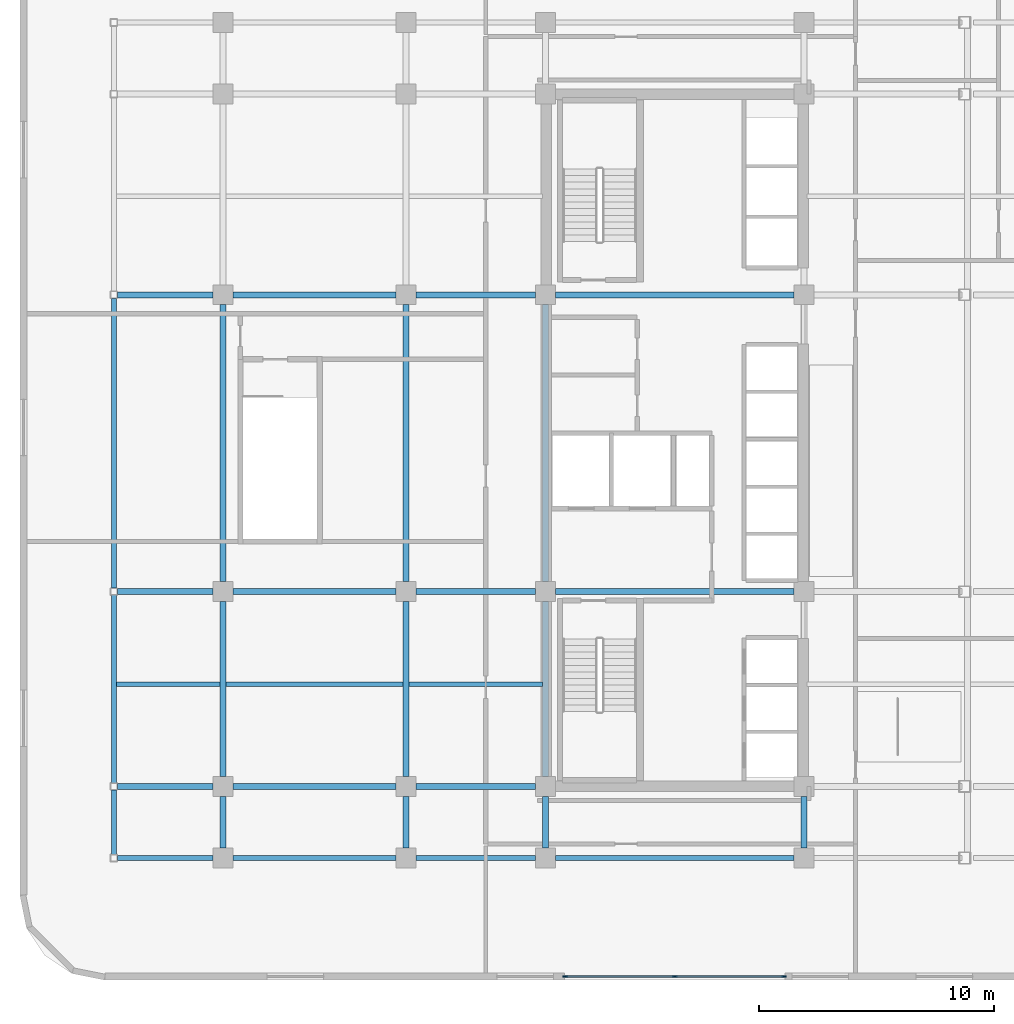
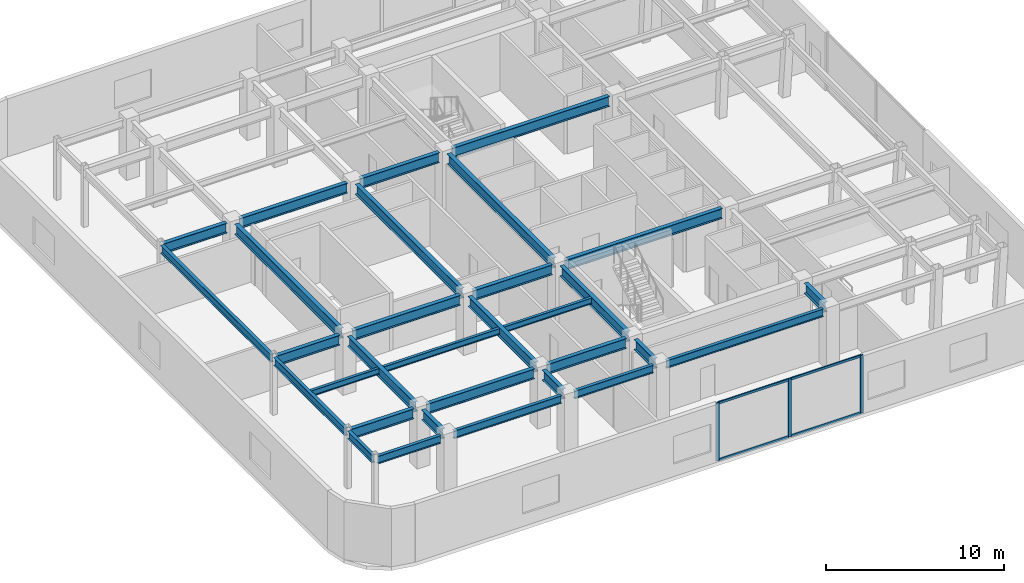
# One storey, part 4 of 13: 31 beams, 7 members, 1 element without a shape of its own.
"""IFC4 building model written with IfcOpenShell, lengths in metres."""

from ifc_helpers import new_model, si_unit, direction, frame, origin, origin_2d, place, context, subcontext, project, spatial, rectangle, i_section, extrude, material, layer, layer_set, material_profile, profile_set, type_object, element, aggregate, save


model = new_model("IFC4")

# Units and contexts
model_context = context("Model", 3, precision=1e-05, world=origin(), true_north=direction((0.0, 1.0)))
body_context = subcontext(model_context, "Body", "Model", "MODEL_VIEW")
ifc_project = project(units=[si_unit("LENGTHUNIT", "METRE"), si_unit("AREAUNIT", "SQUARE_METRE"), si_unit("VOLUMEUNIT", "CUBIC_METRE"), si_unit("PLANEANGLEUNIT", "RADIAN"), si_unit("MASSUNIT", "GRAM", prefix="KILO")], contexts=[model_context])

# Site, building, storey
site_placement = place(None, origin())
site = spatial("IfcSite", under=ifc_project, at=site_placement, CompositionType="ELEMENT")
building_placement = place(site_placement, origin())
building = spatial("IfcBuilding", under=site, at=building_placement, Name="Ochreholt Gables", CompositionType="ELEMENT")
storey_placement = place(building_placement, frame((0.0, 0.0, 60.0)))
storey = spatial("IfcBuildingStorey", under=building, at=storey_placement, Name="L15", CompositionType="ELEMENT", Elevation=60.0)

# Beams
ifc_material_1 = material(Name="Steel CSA G40.21 350W", Category="steel")
ifc_material_profile_1 = material_profile(ifc_material_1, i_section(OverallWidth=0.256103515625, OverallDepth=0.693115234375, WebThickness=0.014404296875, FlangeThickness=0.023681640625, at=origin_2d()), Name="W690X170")
ifc_profile_set_1 = profile_set([ifc_material_profile_1], Name="Steel CSA G40.21 350W")
beam_type_1 = type_object("IfcBeamType", Name="BM-G-W690", PredefinedType="BEAM", material=ifc_profile_set_1)
beam_1_placement = place(storey_placement, frame((5.9521484375, 9.25, 3.613525390625), z_axis=(1.0, 0.0, 0.0), x_axis=(0.0, 1.0, 0.0)))
element("IfcBeam", 1, at=beam_1_placement, inside=storey, type_object=beam_type_1, Name="L15 Beam TBG-L15-WTW2-Y2", PredefinedType="BEAM", context=body_context, shape_type="SweptSolid", body=[
    extrude(i_section(OverallWidth=0.256103515625, OverallDepth=0.693115234375, WebThickness=0.014404296875, FlangeThickness=0.023681640625, at=origin_2d()), origin(), (0.0, 0.0, 1.0), 4.0732421875),
])
beam_2_placement = place(storey_placement, frame((10.87451171875, 9.25, 3.613525390625), z_axis=(1.0, 0.0, 0.0), x_axis=(0.0, 1.0, 0.0)))
element("IfcBeam", 2, at=beam_2_placement, inside=storey, type_object=beam_type_1, Name="L15 Beam TBG-L15-W2W3-Y2", PredefinedType="BEAM", context=body_context, shape_type="SweptSolid", body=[
    extrude(i_section(OverallWidth=0.256103515625, OverallDepth=0.693115234375, WebThickness=0.014404296875, FlangeThickness=0.023681640625, at=origin_2d()), origin(), (0.0, 0.0, 1.0), 6.950927734375),
])
beam_3_placement = place(storey_placement, frame((18.674560546875, 9.25, 3.613525390625), z_axis=(1.0, 0.0, 0.0), x_axis=(0.0, 1.0, 0.0)))
element("IfcBeam", 3, at=beam_3_placement, inside=storey, type_object=beam_type_1, Name="L15 Beam TBG-L15-W3C1-Y2", PredefinedType="BEAM", context=body_context, shape_type="SweptSolid", body=[
    extrude(i_section(OverallWidth=0.256103515625, OverallDepth=0.693115234375, WebThickness=0.014404296875, FlangeThickness=0.023681640625, at=origin_2d()), origin(), (0.0, 0.0, 1.0), 5.100830078125),
])
beam_4_placement = place(storey_placement, frame((5.9521484375, 17.550048828125, 3.613525390625), z_axis=(1.0, 0.0, 0.0), x_axis=(0.0, 1.0, 0.0)))
element("IfcBeam", 4, at=beam_4_placement, inside=storey, type_object=beam_type_1, Name="L15 Beam TBG-L15-WTW2-Y3", PredefinedType="BEAM", context=body_context, shape_type="SweptSolid", body=[
    extrude(i_section(OverallWidth=0.256103515625, OverallDepth=0.693115234375, WebThickness=0.014404296875, FlangeThickness=0.023681640625, at=origin_2d()), origin(), (0.0, 0.0, 1.0), 4.0732421875),
])
beam_5_placement = place(storey_placement, frame((10.87451171875, 17.550048828125, 3.613525390625), z_axis=(1.0, 0.0, 0.0), x_axis=(0.0, 1.0, 0.0)))
element("IfcBeam", 5, at=beam_5_placement, inside=storey, type_object=beam_type_1, Name="L15 Beam TBG-L15-W2W3-Y3", PredefinedType="BEAM", context=body_context, shape_type="SweptSolid", body=[
    extrude(i_section(OverallWidth=0.256103515625, OverallDepth=0.693115234375, WebThickness=0.014404296875, FlangeThickness=0.023681640625, at=origin_2d()), origin(), (0.0, 0.0, 1.0), 6.950927734375),
])
beam_6_placement = place(storey_placement, frame((18.674560546875, 17.550048828125, 3.613525390625), z_axis=(1.0, 0.0, 0.0), x_axis=(0.0, 1.0, 0.0)))
element("IfcBeam", 6, at=beam_6_placement, inside=storey, type_object=beam_type_1, Name="L15 Beam TBG-L15-W3C1-Y3", PredefinedType="BEAM", context=body_context, shape_type="SweptSolid", body=[
    extrude(i_section(OverallWidth=0.256103515625, OverallDepth=0.693115234375, WebThickness=0.014404296875, FlangeThickness=0.023681640625, at=origin_2d()), origin(), (0.0, 0.0, 1.0), 5.100830078125),
])
beam_7_placement = place(storey_placement, frame((24.62451171875, 17.550048828125, 3.613525390625), z_axis=(1.0, 0.0, 0.0), x_axis=(0.0, 1.0, 0.0)))
element("IfcBeam", 7, at=beam_7_placement, inside=storey, type_object=beam_type_1, Name="L15 Beam TBG-L15-C1C2-Y3", PredefinedType="BEAM", context=body_context, shape_type="SweptSolid", body=[
    extrude(i_section(OverallWidth=0.256103515625, OverallDepth=0.693115234375, WebThickness=0.014404296875, FlangeThickness=0.023681640625, at=origin_2d()), origin(), (0.0, 0.0, 1.0), 10.15087890625),
])
beam_8_placement = place(storey_placement, frame((5.9521484375, 30.199951171875, 3.613525390625), z_axis=(1.0, 0.0, 0.0), x_axis=(0.0, 1.0, 0.0)))
element("IfcBeam", 8, at=beam_8_placement, inside=storey, type_object=beam_type_1, Name="L15 Beam TBG-L15-WTW2-Y4", PredefinedType="BEAM", context=body_context, shape_type="SweptSolid", body=[
    extrude(i_section(OverallWidth=0.256103515625, OverallDepth=0.693115234375, WebThickness=0.014404296875, FlangeThickness=0.023681640625, at=origin_2d()), origin(), (0.0, 0.0, 1.0), 4.0732421875),
])
beam_9_placement = place(storey_placement, frame((10.87451171875, 30.199951171875, 3.613525390625), z_axis=(1.0, 0.0, 0.0), x_axis=(0.0, 1.0, 0.0)))
element("IfcBeam", 9, at=beam_9_placement, inside=storey, type_object=beam_type_1, Name="L15 Beam TBG-L15-W2W3-Y4", PredefinedType="BEAM", context=body_context, shape_type="SweptSolid", body=[
    extrude(i_section(OverallWidth=0.256103515625, OverallDepth=0.693115234375, WebThickness=0.014404296875, FlangeThickness=0.023681640625, at=origin_2d()), origin(), (0.0, 0.0, 1.0), 6.950927734375),
])
beam_10_placement = place(storey_placement, frame((18.674560546875, 30.199951171875, 3.613525390625), z_axis=(1.0, 0.0, 0.0), x_axis=(0.0, 1.0, 0.0)))
element("IfcBeam", 10, at=beam_10_placement, inside=storey, type_object=beam_type_1, Name="L15 Beam TBG-L15-W3C1-Y4", PredefinedType="BEAM", context=body_context, shape_type="SweptSolid", body=[
    extrude(i_section(OverallWidth=0.256103515625, OverallDepth=0.693115234375, WebThickness=0.014404296875, FlangeThickness=0.023681640625, at=origin_2d()), origin(), (0.0, 0.0, 1.0), 5.100830078125),
])
beam_11_placement = place(storey_placement, frame((24.62451171875, 30.199951171875, 3.613525390625), z_axis=(1.0, 0.0, 0.0), x_axis=(0.0, 1.0, 0.0)))
element("IfcBeam", 11, at=beam_11_placement, inside=storey, type_object=beam_type_1, Name="L15 Beam TBG-L15-C1C2-Y4", PredefinedType="BEAM", context=body_context, shape_type="SweptSolid", body=[
    extrude(i_section(OverallWidth=0.256103515625, OverallDepth=0.693115234375, WebThickness=0.014404296875, FlangeThickness=0.023681640625, at=origin_2d()), origin(), (0.0, 0.0, 1.0), 10.15087890625),
])
beam_12_placement = place(storey_placement, frame((10.449951171875, 6.62451171875, 3.613525390625), z_axis=(0.0, 1.0, 0.0), x_axis=(-1.0, 0.0, 0.0)))
element("IfcBeam", 12, at=beam_12_placement, inside=storey, type_object=beam_type_1, Name="L15 Beam TBN-L15-W2-Y1Y2", PredefinedType="BEAM", context=body_context, shape_type="SweptSolid", body=[
    extrude(i_section(OverallWidth=0.256103515625, OverallDepth=0.693115234375, WebThickness=0.014404296875, FlangeThickness=0.023681640625, at=origin_2d()), origin(), (0.0, 0.0, 1.0), 2.200927734375),
])
beam_13_placement = place(storey_placement, frame((10.449951171875, 9.674560546875, 3.613525390625), z_axis=(0.0, 1.0, 0.0), x_axis=(-1.0, 0.0, 0.0)))
element("IfcBeam", 13, at=beam_13_placement, inside=storey, type_object=beam_type_1, Name="L15 Beam TBN-L15-W2-Y2Y3", PredefinedType="BEAM", context=body_context, shape_type="SweptSolid", body=[
    extrude(i_section(OverallWidth=0.256103515625, OverallDepth=0.693115234375, WebThickness=0.014404296875, FlangeThickness=0.023681640625, at=origin_2d()), origin(), (0.0, 0.0, 1.0), 7.450927734375),
])
beam_14_placement = place(storey_placement, frame((10.449951171875, 17.974609375, 3.613525390625), z_axis=(0.0, 1.0, 0.0), x_axis=(-1.0, 0.0, 0.0)))
element("IfcBeam", 14, at=beam_14_placement, inside=storey, type_object=beam_type_1, Name="L15 Beam TBN-L15-W2-Y3Y4", PredefinedType="BEAM", context=body_context, shape_type="SweptSolid", body=[
    extrude(i_section(OverallWidth=0.256103515625, OverallDepth=0.693115234375, WebThickness=0.014404296875, FlangeThickness=0.023681640625, at=origin_2d()), origin(), (0.0, 0.0, 1.0), 11.80078125),
])
beam_15_placement = place(storey_placement, frame((18.25, 6.62451171875, 3.613525390625), z_axis=(0.0, 1.0, 0.0), x_axis=(-1.0, 0.0, 0.0)))
element("IfcBeam", 15, at=beam_15_placement, inside=storey, type_object=beam_type_1, Name="L15 Beam TBN-L15-W3-Y1Y2", PredefinedType="BEAM", context=body_context, shape_type="SweptSolid", body=[
    extrude(i_section(OverallWidth=0.256103515625, OverallDepth=0.693115234375, WebThickness=0.014404296875, FlangeThickness=0.023681640625, at=origin_2d()), origin(), (0.0, 0.0, 1.0), 2.200927734375),
])
beam_16_placement = place(storey_placement, frame((18.25, 9.674560546875, 3.613525390625), z_axis=(0.0, 1.0, 0.0), x_axis=(-1.0, 0.0, 0.0)))
element("IfcBeam", 16, at=beam_16_placement, inside=storey, type_object=beam_type_1, Name="L15 Beam TBN-L15-W3-Y2Y3", PredefinedType="BEAM", context=body_context, shape_type="SweptSolid", body=[
    extrude(i_section(OverallWidth=0.256103515625, OverallDepth=0.693115234375, WebThickness=0.014404296875, FlangeThickness=0.023681640625, at=origin_2d()), origin(), (0.0, 0.0, 1.0), 7.450927734375),
])
beam_17_placement = place(storey_placement, frame((18.25, 17.974609375, 3.613525390625), z_axis=(0.0, 1.0, 0.0), x_axis=(-1.0, 0.0, 0.0)))
element("IfcBeam", 17, at=beam_17_placement, inside=storey, type_object=beam_type_1, Name="L15 Beam TBN-L15-W3-Y3Y4", PredefinedType="BEAM", context=body_context, shape_type="SweptSolid", body=[
    extrude(i_section(OverallWidth=0.256103515625, OverallDepth=0.693115234375, WebThickness=0.014404296875, FlangeThickness=0.023681640625, at=origin_2d()), origin(), (0.0, 0.0, 1.0), 11.80078125),
])
beam_18_placement = place(storey_placement, frame((24.199951171875, 6.62451171875, 3.613525390625), z_axis=(0.0, 1.0, 0.0), x_axis=(-1.0, 0.0, 0.0)))
element("IfcBeam", 18, at=beam_18_placement, inside=storey, type_object=beam_type_1, Name="L15 Beam TBN-L15-C1-Y1Y2", PredefinedType="BEAM", context=body_context, shape_type="SweptSolid", body=[
    extrude(i_section(OverallWidth=0.256103515625, OverallDepth=0.693115234375, WebThickness=0.014404296875, FlangeThickness=0.023681640625, at=origin_2d()), origin(), (0.0, 0.0, 1.0), 2.200927734375),
])
beam_19_placement = place(storey_placement, frame((24.199951171875, 9.674560546875, 3.613525390625), z_axis=(0.0, 1.0, 0.0), x_axis=(-1.0, 0.0, 0.0)))
element("IfcBeam", 19, at=beam_19_placement, inside=storey, type_object=beam_type_1, Name="L15 Beam TBN-L15-C1-Y2Y3", PredefinedType="BEAM", context=body_context, shape_type="SweptSolid", body=[
    extrude(i_section(OverallWidth=0.256103515625, OverallDepth=0.693115234375, WebThickness=0.014404296875, FlangeThickness=0.023681640625, at=origin_2d()), origin(), (0.0, 0.0, 1.0), 7.450927734375),
])
beam_20_placement = place(storey_placement, frame((24.199951171875, 17.974609375, 3.613525390625), z_axis=(0.0, 1.0, 0.0), x_axis=(-1.0, 0.0, 0.0)))
element("IfcBeam", 20, at=beam_20_placement, inside=storey, type_object=beam_type_1, Name="L15 Beam TBN-L15-C1-Y3Y4", PredefinedType="BEAM", context=body_context, shape_type="SweptSolid", body=[
    extrude(i_section(OverallWidth=0.256103515625, OverallDepth=0.693115234375, WebThickness=0.014404296875, FlangeThickness=0.023681640625, at=origin_2d()), origin(), (0.0, 0.0, 1.0), 11.80078125),
])
beam_21_placement = place(storey_placement, frame((35.199951171875, 6.62451171875, 3.613525390625), z_axis=(0.0, 1.0, 0.0), x_axis=(-1.0, 0.0, 0.0)))
element("IfcBeam", 21, at=beam_21_placement, inside=storey, type_object=beam_type_1, Name="L15 Beam TBN-L15-C2-Y1Y2", PredefinedType="BEAM", context=body_context, shape_type="SweptSolid", body=[
    extrude(i_section(OverallWidth=0.256103515625, OverallDepth=0.693115234375, WebThickness=0.014404296875, FlangeThickness=0.023681640625, at=origin_2d()), origin(), (0.0, 0.0, 1.0), 2.200927734375),
])
ifc_material_profile_2 = material_profile(ifc_material_1, i_section(OverallWidth=0.178955078125, OverallDepth=0.409912109375, WebThickness=0.0087890625, FlangeThickness=0.014404296875, at=origin_2d()), Name="W410X67")
ifc_profile_set_2 = profile_set([ifc_material_profile_2], Name="Steel CSA G40.21 350W")
beam_type_2 = type_object("IfcBeamType", Name="BM-J-W410", PredefinedType="JOIST", material=ifc_profile_set_2)
beam_22_placement = place(storey_placement, frame((5.904052734375, 13.60009765625, 3.7548828125), z_axis=(1.0, 0.0, 0.0), x_axis=(0.0, 1.0, 0.0)))
element("IfcBeam", 22, at=beam_22_placement, inside=storey, type_object=beam_type_2, Name="L15 Beam TBJ-L15-J1-WTW2", PredefinedType="JOIST", context=body_context, shape_type="SweptSolid", body=[
    extrude(i_section(OverallWidth=0.178955078125, OverallDepth=0.409912109375, WebThickness=0.0087890625, FlangeThickness=0.014404296875, at=origin_2d()), origin(), (0.0, 0.0, 1.0), 4.41845703125),
])
beam_23_placement = place(storey_placement, frame((10.57763671875, 13.60009765625, 3.7548828125), z_axis=(1.0, 0.0, 0.0), x_axis=(0.0, 1.0, 0.0)))
element("IfcBeam", 23, at=beam_23_placement, inside=storey, type_object=beam_type_2, Name="L15 Beam TBJ-L15-J1-W2W3", PredefinedType="JOIST", context=body_context, shape_type="SweptSolid", body=[
    extrude(i_section(OverallWidth=0.178955078125, OverallDepth=0.409912109375, WebThickness=0.0087890625, FlangeThickness=0.014404296875, at=origin_2d()), origin(), (0.0, 0.0, 1.0), 7.544677734375),
])
beam_24_placement = place(storey_placement, frame((18.377685546875, 13.60009765625, 3.7548828125), z_axis=(1.0, 0.0, 0.0), x_axis=(0.0, 1.0, 0.0)))
element("IfcBeam", 24, at=beam_24_placement, inside=storey, type_object=beam_type_2, Name="L15 Beam TBJ-L15-J1-W3C1", PredefinedType="JOIST", context=body_context, shape_type="SweptSolid", body=[
    extrude(i_section(OverallWidth=0.178955078125, OverallDepth=0.409912109375, WebThickness=0.0087890625, FlangeThickness=0.014404296875, at=origin_2d()), origin(), (0.0, 0.0, 1.0), 5.69482421875),
])
ifc_material_profile_3 = material_profile(ifc_material_1, i_section(OverallWidth=0.208984375, OverallDepth=0.532958984375, WebThickness=0.01025390625, FlangeThickness=0.015625, at=origin_2d()), Name="W530X92")
ifc_profile_set_3 = profile_set([ifc_material_profile_3], Name="Steel CSA G40.21 350W")
beam_type_3 = type_object("IfcBeamType", Name="BM-SP-W530B", PredefinedType="SPANDREL", material=ifc_profile_set_3)
beam_25_placement = place(storey_placement, frame((5.9521484375, 6.199951171875, 3.693603515625), z_axis=(1.0, 0.0, 0.0), x_axis=(0.0, 1.0, 0.0)))
element("IfcBeam", 25, at=beam_25_placement, inside=storey, type_object=beam_type_3, Name="L15 Beam TBG-L15-WTW2-Y1", PredefinedType="SPANDREL", context=body_context, shape_type="SweptSolid", body=[
    extrude(i_section(OverallWidth=0.208984375, OverallDepth=0.532958984375, WebThickness=0.01025390625, FlangeThickness=0.015625, at=origin_2d()), origin(), (0.0, 0.0, 1.0), 4.0732421875),
])
beam_26_placement = place(storey_placement, frame((10.87451171875, 6.199951171875, 3.693603515625), z_axis=(1.0, 0.0, 0.0), x_axis=(0.0, 1.0, 0.0)))
element("IfcBeam", 26, at=beam_26_placement, inside=storey, type_object=beam_type_3, Name="L15 Beam TBG-L15-W2W3-Y1", PredefinedType="SPANDREL", context=body_context, shape_type="SweptSolid", body=[
    extrude(i_section(OverallWidth=0.208984375, OverallDepth=0.532958984375, WebThickness=0.01025390625, FlangeThickness=0.015625, at=origin_2d()), origin(), (0.0, 0.0, 1.0), 6.950927734375),
])
beam_27_placement = place(storey_placement, frame((18.674560546875, 6.199951171875, 3.693603515625), z_axis=(1.0, 0.0, 0.0), x_axis=(0.0, 1.0, 0.0)))
element("IfcBeam", 27, at=beam_27_placement, inside=storey, type_object=beam_type_3, Name="L15 Beam TBG-L15-W3C1-Y1", PredefinedType="SPANDREL", context=body_context, shape_type="SweptSolid", body=[
    extrude(i_section(OverallWidth=0.208984375, OverallDepth=0.532958984375, WebThickness=0.01025390625, FlangeThickness=0.015625, at=origin_2d()), origin(), (0.0, 0.0, 1.0), 5.100830078125),
])
beam_28_placement = place(storey_placement, frame((24.62451171875, 6.199951171875, 3.693603515625), z_axis=(1.0, 0.0, 0.0), x_axis=(0.0, 1.0, 0.0)))
element("IfcBeam", 28, at=beam_28_placement, inside=storey, type_object=beam_type_3, Name="L15 Beam TBG-L15-C1C2-Y1", PredefinedType="SPANDREL", context=body_context, shape_type="SweptSolid", body=[
    extrude(i_section(OverallWidth=0.208984375, OverallDepth=0.532958984375, WebThickness=0.01025390625, FlangeThickness=0.015625, at=origin_2d()), origin(), (0.0, 0.0, 1.0), 10.15087890625),
])
beam_29_placement = place(storey_placement, frame((5.800048828125, 6.35205078125, 3.693603515625), z_axis=(0.0, 1.0, 0.0), x_axis=(-1.0, 0.0, 0.0)))
element("IfcBeam", 29, at=beam_29_placement, inside=storey, type_object=beam_type_3, Name="L15 Beam TBN-L15-WT-Y1Y2", PredefinedType="SPANDREL", context=body_context, shape_type="SweptSolid", body=[
    extrude(i_section(OverallWidth=0.208984375, OverallDepth=0.532958984375, WebThickness=0.01025390625, FlangeThickness=0.015625, at=origin_2d()), origin(), (0.0, 0.0, 1.0), 2.745849609375),
])
beam_30_placement = place(storey_placement, frame((5.800048828125, 9.402099609375, 3.693603515625), z_axis=(0.0, 1.0, 0.0), x_axis=(-1.0, 0.0, 0.0)))
element("IfcBeam", 30, at=beam_30_placement, inside=storey, type_object=beam_type_3, Name="L15 Beam TBN-L15-WT-Y2Y3", PredefinedType="SPANDREL", context=body_context, shape_type="SweptSolid", body=[
    extrude(i_section(OverallWidth=0.208984375, OverallDepth=0.532958984375, WebThickness=0.01025390625, FlangeThickness=0.015625, at=origin_2d()), origin(), (0.0, 0.0, 1.0), 7.995849609375),
])
beam_31_placement = place(storey_placement, frame((5.800048828125, 17.7021484375, 3.693603515625), z_axis=(0.0, 1.0, 0.0), x_axis=(-1.0, 0.0, 0.0)))
element("IfcBeam", 31, at=beam_31_placement, inside=storey, type_object=beam_type_3, Name="L15 Beam TBN-L15-WT-Y3Y4", PredefinedType="SPANDREL", context=body_context, shape_type="SweptSolid", body=[
    extrude(i_section(OverallWidth=0.208984375, OverallDepth=0.532958984375, WebThickness=0.01025390625, FlangeThickness=0.015625, at=origin_2d()), origin(), (0.0, 0.0, 1.0), 12.345703125),
])

# Curtain wall, members
ifc_material_2 = material(Name="Unitised Aluminium and Triple Glazing", Category="aluminium")
ifc_layer = layer(ifc_material_2, 0.219970703125, Name="Unitised Aluminium and Triple Glazing")
ifc_layer_set = layer_set([ifc_layer], Name="Unitised Aluminium and Triple Glazing")
curtain_wall_type = type_object("IfcCurtainWallType", Name="CW-SYS6", PredefinedType="NOTDEFINED", material=ifc_layer_set)
curtain_wall_placement = place(storey_placement, origin())
curtain_wall = element("IfcCurtainWall", 32, at=curtain_wall_placement, inside=storey, type_object=curtain_wall_type, Name="L15 South Unitised Curtain Wall", PredefinedType="NOTDEFINED")
ifc_material_3 = material(Name="Anodized Aluminium 6063-T6", Category="aluminium")
ifc_material_profile_4 = material_profile(ifc_material_3, rectangle(XDim=0.074951171875, YDim=0.199951171875, at=origin_2d()), Name="CWM75X200")
ifc_profile_set_4 = profile_set([ifc_material_profile_4], Name="Anodized Aluminium 6063-T6")
member_type_1 = type_object("IfcMemberType", Name="CW-MUL-A", PredefinedType="MULLION", material=ifc_profile_set_4)
member_1_placement = place(storey_placement, frame((25.03759765625, 1.14501953125, 0.0), z_axis=(0.0, 0.0, 1.0), x_axis=(0.0, 1.0, 0.0)))
member_1 = element("IfcMember", 33, at=member_1_placement, type_object=member_type_1, Name="CW-6 mullion 1", PredefinedType="MULLION", context=body_context, shape_type="SweptSolid", body=[
    extrude(rectangle(XDim=0.074951171875, YDim=0.199951171875, at=origin_2d()), origin(), (0.0, 0.0, 1.0), 3.9599609375),
])
member_2_placement = place(storey_placement, frame((29.699951171875, 1.14501953125, 0.0), z_axis=(0.0, 0.0, 1.0), x_axis=(0.0, 1.0, 0.0)))
member_2 = element("IfcMember", 34, at=member_2_placement, type_object=member_type_1, Name="CW-6 mullion 2", PredefinedType="MULLION", context=body_context, shape_type="SweptSolid", body=[
    extrude(rectangle(XDim=0.074951171875, YDim=0.199951171875, at=origin_2d()), origin(), (0.0, 0.0, 1.0), 3.9599609375),
])
member_3_placement = place(storey_placement, frame((34.362548828125, 1.14501953125, 0.0), z_axis=(0.0, 0.0, 1.0), x_axis=(0.0, 1.0, 0.0)))
member_3 = element("IfcMember", 35, at=member_3_placement, type_object=member_type_1, Name="CW-6 mullion 3", PredefinedType="MULLION", context=body_context, shape_type="SweptSolid", body=[
    extrude(rectangle(XDim=0.074951171875, YDim=0.199951171875, at=origin_2d()), origin(), (0.0, 0.0, 1.0), 3.9599609375),
])
ifc_material_profile_5 = material_profile(ifc_material_3, rectangle(XDim=0.074951171875, YDim=0.159912109375, at=origin_2d()), Name="CWT75X160")
ifc_profile_set_5 = profile_set([ifc_material_profile_5], Name="Anodized Aluminium 6063-T6")
member_type_2 = type_object("IfcMemberType", Name="CW-TRN-A", PredefinedType="USERDEFINED", material=ifc_profile_set_5)
member_4_placement = place(storey_placement, frame((25.074951171875, 1.14501953125, 0.03759765625), z_axis=(1.0, 0.0, 0.0), x_axis=(0.0, 1.0, 0.0)))
member_4 = element("IfcMember", 36, at=member_4_placement, type_object=member_type_2, Name="CW-6 transom 1.1", ObjectType="TRANSOM", PredefinedType="USERDEFINED", context=body_context, shape_type="SweptSolid", body=[
    extrude(rectangle(XDim=0.074951171875, YDim=0.159912109375, at=origin_2d()), origin(), (0.0, 0.0, 1.0), 4.587646484375),
])
member_5_placement = place(storey_placement, frame((25.074951171875, 1.14501953125, 3.922607421875), z_axis=(1.0, 0.0, 0.0), x_axis=(0.0, 1.0, 0.0)))
member_5 = element("IfcMember", 37, at=member_5_placement, type_object=member_type_2, Name="CW-6 transom 1.2", ObjectType="TRANSOM", PredefinedType="USERDEFINED", context=body_context, shape_type="SweptSolid", body=[
    extrude(rectangle(XDim=0.074951171875, YDim=0.159912109375, at=origin_2d()), origin(), (0.0, 0.0, 1.0), 4.587646484375),
])
member_6_placement = place(storey_placement, frame((29.737548828125, 1.14501953125, 0.03759765625), z_axis=(1.0, 0.0, 0.0), x_axis=(0.0, 1.0, 0.0)))
member_6 = element("IfcMember", 38, at=member_6_placement, type_object=member_type_2, Name="CW-6 transom 2.1", ObjectType="TRANSOM", PredefinedType="USERDEFINED", context=body_context, shape_type="SweptSolid", body=[
    extrude(rectangle(XDim=0.074951171875, YDim=0.159912109375, at=origin_2d()), origin(), (0.0, 0.0, 1.0), 4.58740234375),
])
member_7_placement = place(storey_placement, frame((29.737548828125, 1.14501953125, 3.922607421875), z_axis=(1.0, 0.0, 0.0), x_axis=(0.0, 1.0, 0.0)))
member_7 = element("IfcMember", 39, at=member_7_placement, type_object=member_type_2, Name="CW-6 transom 2.2", ObjectType="TRANSOM", PredefinedType="USERDEFINED", context=body_context, shape_type="SweptSolid", body=[
    extrude(rectangle(XDim=0.074951171875, YDim=0.159912109375, at=origin_2d()), origin(), (0.0, 0.0, 1.0), 4.58740234375),
])
aggregate(curtain_wall, [member_1, member_2, member_3, member_4, member_5, member_6, member_7])

save(model, "model.ifc")
